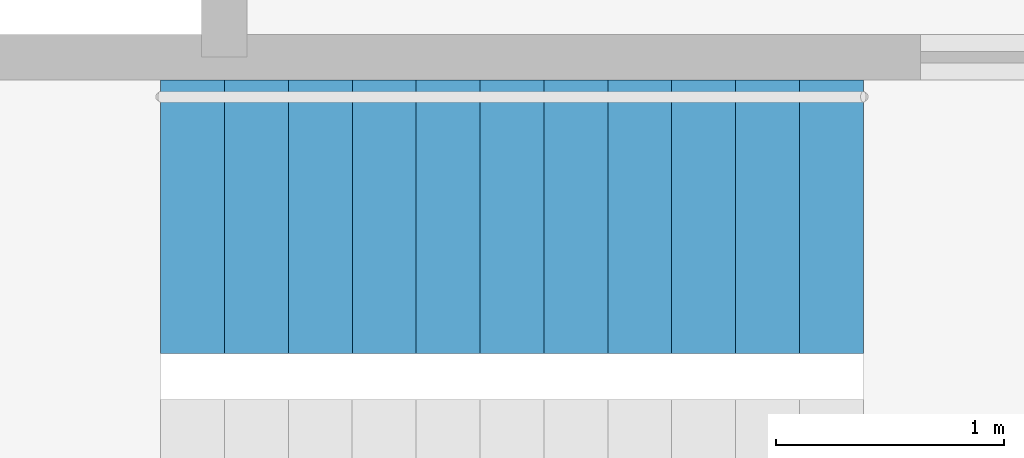
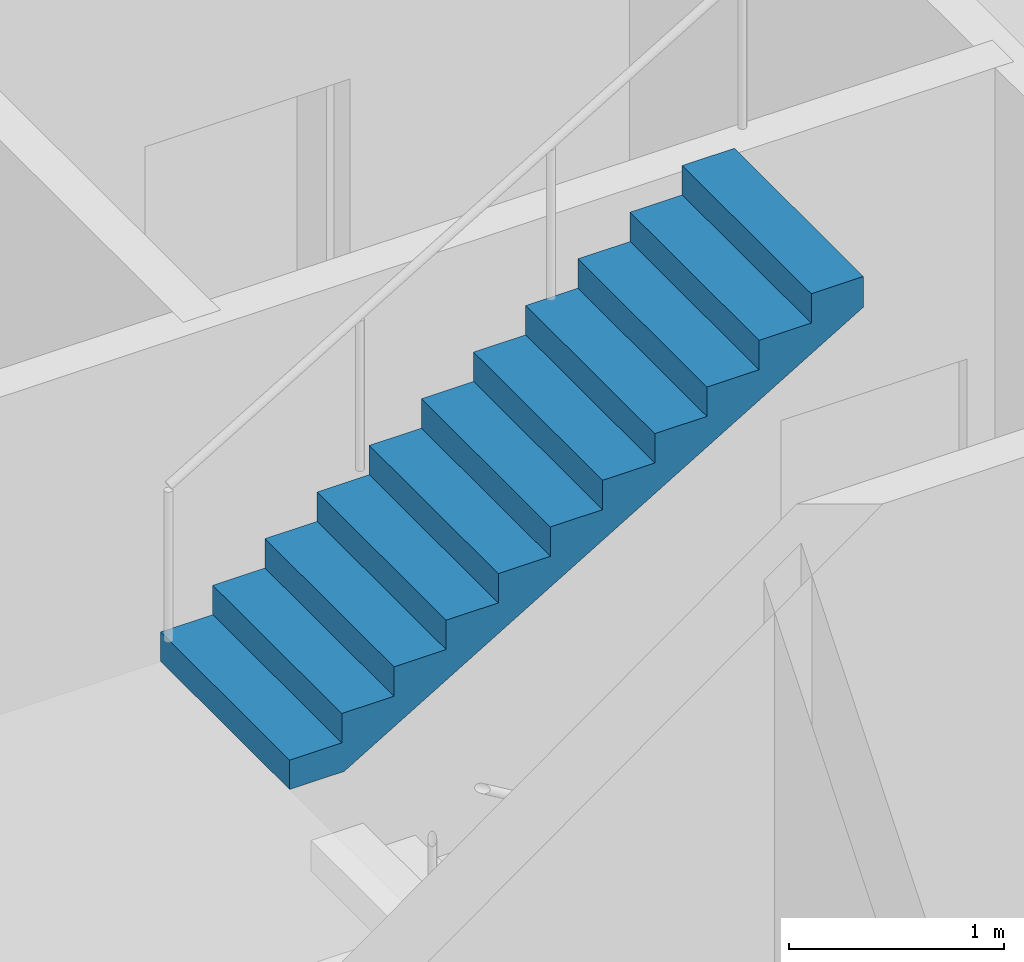
# One storey, part 12 of 14: 1 stair flight, 1 element without a shape of its own.
"""IFC4 building model written with IfcOpenShell, lengths in metres."""

from ifc_helpers import new_model, si_unit, direction, frame, origin, place, context, subcontext, project, spatial, polyline, outline, extrude, material, type_object, element, aggregate, save


model = new_model("IFC4")

# Units and contexts
model_context = context("Model", 3, precision=1e-05, world=origin(), true_north=direction((0.0, 1.0)))
body_context = subcontext(model_context, "Body", "Model", "MODEL_VIEW")
ifc_project = project(units=[si_unit("LENGTHUNIT", "METRE"), si_unit("AREAUNIT", "SQUARE_METRE"), si_unit("VOLUMEUNIT", "CUBIC_METRE"), si_unit("PLANEANGLEUNIT", "RADIAN"), si_unit("MASSUNIT", "GRAM", prefix="KILO")], contexts=[model_context])

# Site, building, storey
site_placement = place(None, origin())
site = spatial("IfcSite", under=ifc_project, at=site_placement, CompositionType="ELEMENT")
building_placement = place(site_placement, origin())
building = spatial("IfcBuilding", under=site, at=building_placement, Name="Fenwick Lantern Interchange", CompositionType="ELEMENT")
storey_placement = place(building_placement, frame((0.0, 0.0, 35.0)))
storey = spatial("IfcBuildingStorey", under=building, at=storey_placement, Name="L07", CompositionType="ELEMENT", Elevation=35.0)

# Stair, stair flight
ifc_material = material(Name="Precast concrete f'c 35 MPa", Category="concrete")
stair_type = type_object("IfcStairType", Name="EXIT STAIR 1200", PredefinedType="HALF_TURN_STAIR", material=ifc_material)
stair_placement = place(storey_placement, origin())
stair = element("IfcStair", 1, at=stair_placement, inside=storey, type_object=stair_type, Name="Exit stair ST2", PredefinedType="HALF_TURN_STAIR")
stair_flight_type = type_object("IfcStairFlightType", Name="STAIR FLIGHT 1200", PredefinedType="STRAIGHT", material=ifc_material)
stair_flight_placement = place(storey_placement, frame((25.1201171875, 32.10009765625, 2.0), z_axis=(0.0, 0.0, 1.0), x_axis=(1.0, 0.0, 0.0)))
stair_flight = element("IfcStairFlight", 2, at=stair_flight_placement, type_object=stair_flight_type, Name="ST2 flight 2", NumberOfRisers=12, NumberOfTreads=11, PredefinedType="STRAIGHT", RiserHeight=0.166666667, TreadLength=0.28, context=body_context, shape_type="SweptSolid", body=[
    extrude(outline(polyline([(0.0, 0.0), (0.0, 0.166748046875), (0.280029296875, 0.166748046875), (0.280029296875, 0.333251953125), (0.56005859375, 0.333251953125), (0.56005859375, 0.5), (0.840087890625, 0.5), (0.840087890625, 0.666748046875), (1.1201171875, 0.666748046875), (1.1201171875, 0.833251953125), (1.39990234375, 0.833251953125), (1.39990234375, 1.0), (1.679931640625, 1.0), (1.679931640625, 1.166748046875), (1.9599609375, 1.166748046875), (1.9599609375, 1.333251953125), (2.239990234375, 1.333251953125), (2.239990234375, 1.5), (2.52001953125, 1.5), (2.52001953125, 1.666748046875), (2.800048828125, 1.666748046875), (2.800048828125, 1.833251953125), (3.080078125, 1.833251953125), (3.080078125, 2.0), (3.080078125, 1.658935546875), (0.29296875, 0.0), (0.0, 0.0)])), frame((0.0, 0.60009765625, 0.0), z_axis=(0.0, -1.0, 0.0), x_axis=(1.0, 0.0, 0.0)), (0.0, 0.0, 1.0), 1.199951171875),
])
aggregate(stair, [stair_flight])

save(model, "model.ifc")
